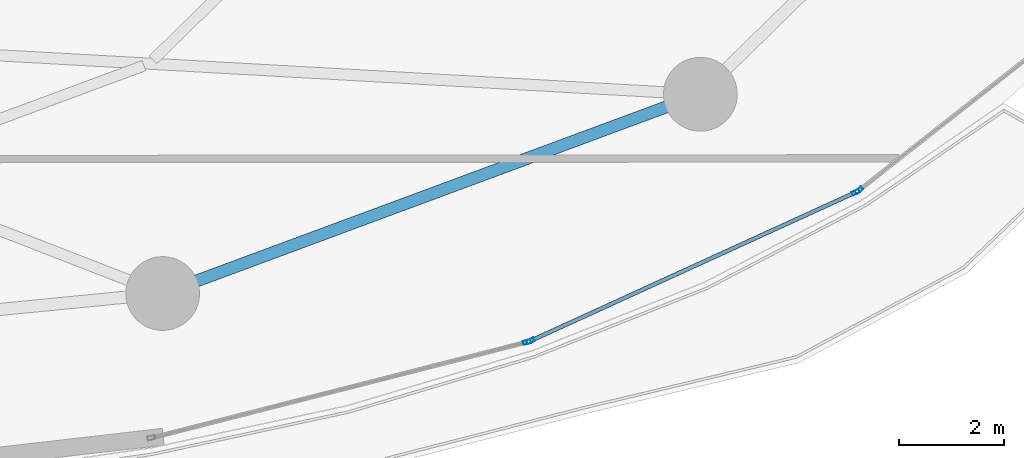
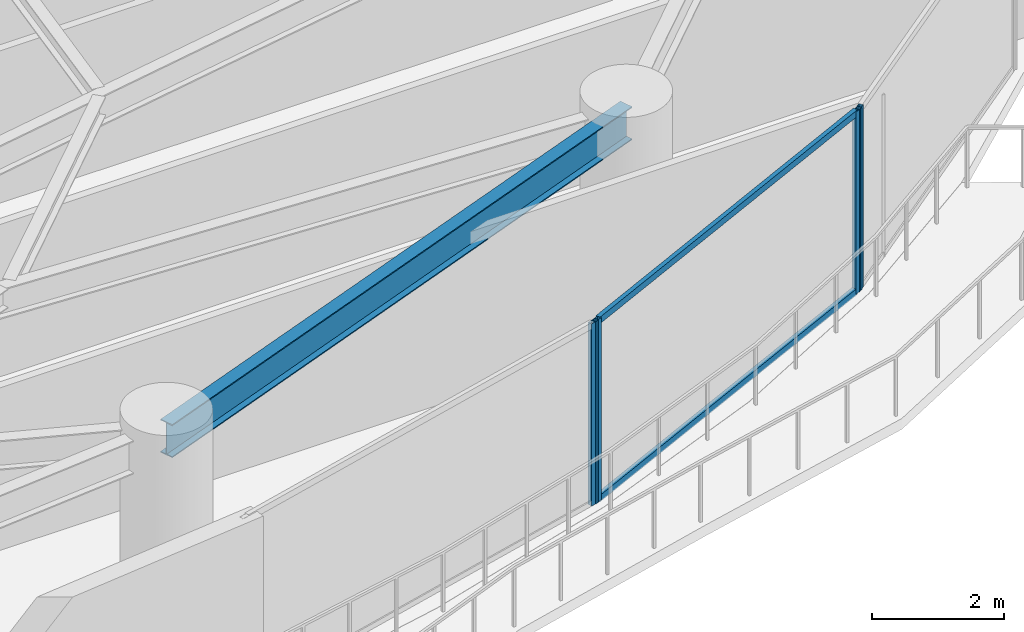
# One storey, part 13 of 33: 6 members, 1 beam, 3 elements without a shape of their own.
"""IFC4 building model written with IfcOpenShell, lengths in metres."""

from ifc_helpers import new_model, si_unit, direction, frame, origin, origin_2d, place, context, subcontext, project, spatial, hollow_rectangle, i_section, extrude, material, layer, layer_set, material_profile, profile_set, type_object, element, aggregate, save


model = new_model("IFC4")

# Units and contexts
model_context = context("Model", 3, precision=1e-05, world=origin(), true_north=direction((0.0, 1.0)))
body_context = subcontext(model_context, "Body", "Model", "MODEL_VIEW")
ifc_project = project(units=[si_unit("LENGTHUNIT", "METRE"), si_unit("AREAUNIT", "SQUARE_METRE"), si_unit("VOLUMEUNIT", "CUBIC_METRE"), si_unit("PLANEANGLEUNIT", "RADIAN"), si_unit("MASSUNIT", "GRAM", prefix="KILO")], contexts=[model_context])

# Site, building, storey
site_placement = place(None, origin())
site = spatial("IfcSite", under=ifc_project, at=site_placement, CompositionType="ELEMENT")
building_placement = place(site_placement, origin())
building = spatial("IfcBuilding", under=site, at=building_placement, Name="Kazevale Care Tower and Concert Hall", CompositionType="ELEMENT")
storey_placement = place(building_placement, frame((0.0, 0.0, 49.199951171875)))
storey = spatial("IfcBuildingStorey", under=building, at=storey_placement, Name="L12", CompositionType="ELEMENT", Elevation=49.199951171875)

# Curtain wall, member
ifc_material_1 = material(Name="Aluminium 6063-T6 and Low-E Glass", Category="aluminium")
ifc_layer = layer(ifc_material_1, 0.179931640625)
ifc_layer_set = layer_set([ifc_layer], Name="Aluminium 6063-T6 and Low-E Glass")
curtain_wall_type = type_object("IfcCurtainWallType", Name="Sheltered Concave Balcony Curtain Wall CW-5", PredefinedType="NOTDEFINED", material=ifc_layer_set)
curtain_wall_1_placement = place(storey_placement, origin())
curtain_wall_1 = element("IfcCurtainWall", 1, at=curtain_wall_1_placement, inside=storey, type_object=curtain_wall_type, Name="cw:L12:f02", PredefinedType="NOTDEFINED")
ifc_material_2 = material(Name="Aluminium 6063-T6", Category="aluminium")
ifc_material_profile_1 = material_profile(ifc_material_2, hollow_rectangle(XDim=0.074951171875, YDim=0.14990234375, WallThickness=0.00390625, at=origin_2d()), Name="ALU75x150x4")
ifc_profile_set_1 = profile_set([ifc_material_profile_1], Name="Aluminium 6063-T6")
member_type_1 = type_object("IfcMemberType", Name="CW-5 Mullion ALU75x150x4", PredefinedType="MULLION", material=ifc_profile_set_1)
member_1_placement = place(storey_placement, frame((70.25146484375, 20.490234375, 0.0), z_axis=(0.0, 0.0, 1.0), x_axis=(0.617807548814, -0.78632934107, 0.0)))
member_1 = element("IfcMember", 2, at=member_1_placement, type_object=member_type_1, Name="CW-5 mullion 2", PredefinedType="MULLION", context=body_context, shape_type="SweptSolid", body=[
    extrude(hollow_rectangle(XDim=0.074951171875, YDim=0.14990234375, WallThickness=0.00390625, at=origin_2d()), origin(), (0.0, 0.0, 1.0), 3.360107421875),
])
aggregate(curtain_wall_1, [member_1])

# Curtain wall, members
curtain_wall_2_placement = place(storey_placement, origin())
curtain_wall_2 = element("IfcCurtainWall", 3, at=curtain_wall_2_placement, inside=storey, type_object=curtain_wall_type, Name="cw:L12:f03", PredefinedType="NOTDEFINED")
member_2_placement = place(storey_placement, frame((70.18798828125, 20.451416015625, 0.0), z_axis=(0.0, 0.0, 1.0), x_axis=(0.415659767773, -0.909520179795, 0.0)))
member_2 = element("IfcMember", 4, at=member_2_placement, type_object=member_type_1, Name="CW-5 mullion 1", PredefinedType="MULLION", context=body_context, shape_type="SweptSolid", body=[
    extrude(hollow_rectangle(XDim=0.074951171875, YDim=0.14990234375, WallThickness=0.00390625, at=origin_2d()), origin(), (0.0, 0.0, 1.0), 3.360107421875),
])
member_3_placement = place(storey_placement, frame((64.022216796875, 17.633544921875, 0.0), z_axis=(0.0, 0.0, 1.0), x_axis=(0.415659767773, -0.909520179795, 0.0)))
member_3 = element("IfcMember", 5, at=member_3_placement, type_object=member_type_1, Name="CW-5 mullion 2", PredefinedType="MULLION", context=body_context, shape_type="SweptSolid", body=[
    extrude(hollow_rectangle(XDim=0.074951171875, YDim=0.14990234375, WallThickness=0.00390625, at=origin_2d()), origin(), (0.0, 0.0, 1.0), 3.360107421875),
])

# Curtain wall, member
curtain_wall_3_placement = place(storey_placement, origin())
curtain_wall_3 = element("IfcCurtainWall", 6, at=curtain_wall_3_placement, inside=storey, type_object=curtain_wall_type, Name="cw:L12:f04", PredefinedType="NOTDEFINED")
member_4_placement = place(storey_placement, frame((63.95166015625, 17.608642578125, 0.0), z_axis=(0.0, 0.0, 1.0), x_axis=(0.247221864936, -0.968958899798, 0.0)))
member_4 = element("IfcMember", 7, at=member_4_placement, type_object=member_type_1, Name="CW-5 mullion 1", PredefinedType="MULLION", context=body_context, shape_type="SweptSolid", body=[
    extrude(hollow_rectangle(XDim=0.074951171875, YDim=0.14990234375, WallThickness=0.00390625, at=origin_2d()), origin(), (0.0, 0.0, 1.0), 3.360107421875),
])
aggregate(curtain_wall_3, [member_4])

# Member
ifc_material_profile_2 = material_profile(ifc_material_2, hollow_rectangle(XDim=0.074951171875, YDim=0.1201171875, WallThickness=0.00390625, at=origin_2d()), Name="ALU75x120x4")
ifc_profile_set_2 = profile_set([ifc_material_profile_2], Name="Aluminium 6063-T6")
member_type_2 = type_object("IfcMemberType", Name="CW-5 Transom ALU75x120x4", PredefinedType="USERDEFINED", material=ifc_profile_set_2)
member_5_placement = place(storey_placement, frame((70.15380859375, 20.435791015625, 0.03759765625), z_axis=(-0.909524040017, -0.415651320978, 0.0), x_axis=(0.415651320978, -0.909524040017, 0.0)))
member_5 = element("IfcMember", 8, at=member_5_placement, type_object=member_type_2, Name="CW-5 transom 1.1", ObjectType="TRANSOM", PredefinedType="USERDEFINED", context=body_context, shape_type="SweptSolid", body=[
    extrude(hollow_rectangle(XDim=0.074951171875, YDim=0.1201171875, WallThickness=0.00390625, at=origin_2d()), origin(), (0.0, 0.0, 1.0), 6.704345703125),
])

member_6_placement = place(storey_placement, frame((70.15380859375, 20.435791015625, 3.322509765625), z_axis=(-0.909524040017, -0.415651320978, 0.0), x_axis=(0.415651320978, -0.909524040017, 0.0)))
member_6 = element("IfcMember", 9, at=member_6_placement, type_object=member_type_2, Name="CW-5 transom 1.2", ObjectType="TRANSOM", PredefinedType="USERDEFINED", context=body_context, shape_type="SweptSolid", body=[
    extrude(hollow_rectangle(XDim=0.074951171875, YDim=0.1201171875, WallThickness=0.00390625, at=origin_2d()), origin(), (0.0, 0.0, 1.0), 6.704345703125),
])

aggregate(curtain_wall_2, [member_2, member_3, member_5, member_6])

# Beam
ifc_material_3 = material(Name="Steel ASTM A572 Gr 50", Category="steel")
ifc_material_profile_3 = material_profile(ifc_material_3, i_section(OverallWidth=0.22900390625, OverallDepth=0.612060546875, WebThickness=0.011962890625, FlangeThickness=0.01953125, at=origin_2d()), Name="W610x125")
ifc_profile_set_3 = profile_set([ifc_material_profile_3], Name="Steel ASTM A572 Gr 50")
beam_type = type_object("IfcBeamType", Name="Ring Spandrel Beam W610x125", PredefinedType="SPANDREL", material=ifc_profile_set_3)
beam_placement = place(storey_placement, frame((57.0400390625, 18.530029296875, 3.053955078125), z_axis=(0.937680788596, 0.347497825458, 0.0), x_axis=(-0.347497825458, 0.937680788596, 0.0)))
element("IfcBeam", 10, at=beam_placement, inside=storey, type_object=beam_type, Name="beam:L12:ring:14", PredefinedType="SPANDREL", context=body_context, shape_type="SweptSolid", body=[
    extrude(i_section(OverallWidth=0.22900390625, OverallDepth=0.612060546875, WebThickness=0.011962890625, FlangeThickness=0.01953125, at=origin_2d()), origin(), (0.0, 0.0, 1.0), 10.8779296875),
])

save(model, "model.ifc")
